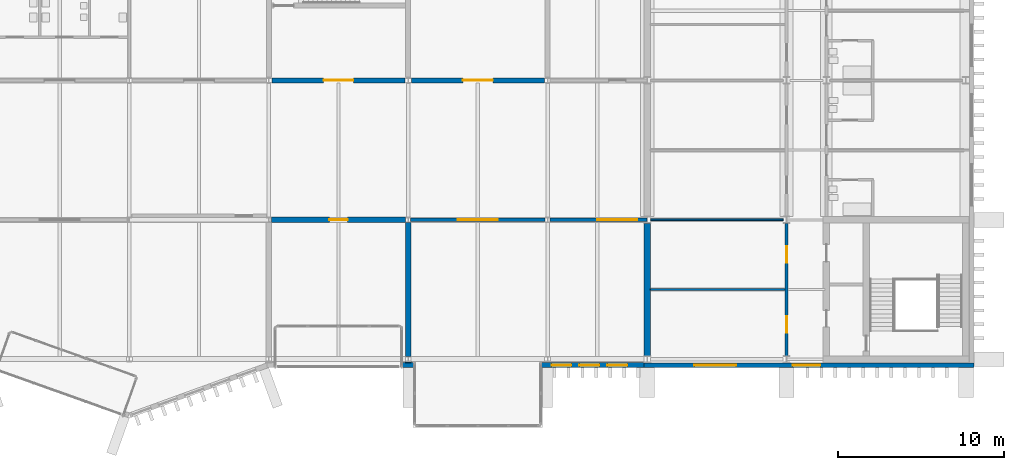
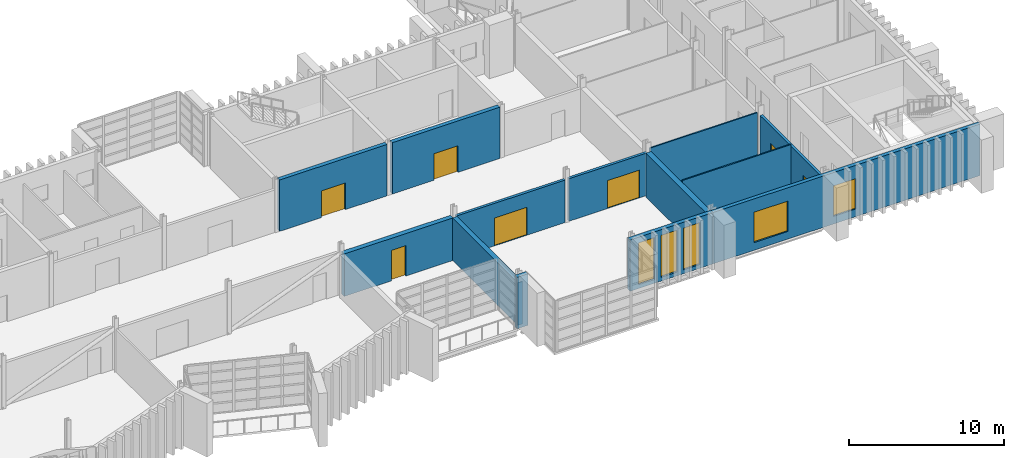
# One storey, part 73 of 100: 14 walls, 7 doors, 5 windows, 12 openings.
"""IFC4 building model written with IfcOpenShell, lengths in metres."""

from ifc_helpers import new_model, si_unit, direction, frame, frame_2d, origin, place, context, subcontext, project, spatial, rectangle, extrude, material, layer, layer_set, type_object, element, fill, save


model = new_model("IFC4")

# Units and contexts
model_context = context("Model", 3, precision=1e-05, world=origin(), true_north=direction((0.0, 1.0)))
body_context = subcontext(model_context, "Body", "Model", "MODEL_VIEW")
ifc_project = project(units=[si_unit("LENGTHUNIT", "METRE"), si_unit("AREAUNIT", "SQUARE_METRE"), si_unit("VOLUMEUNIT", "CUBIC_METRE"), si_unit("PLANEANGLEUNIT", "RADIAN"), si_unit("MASSUNIT", "GRAM", prefix="KILO")], contexts=[model_context])

# Site, building, storey
site_placement = place(None, origin())
site = spatial("IfcSite", under=ifc_project, at=site_placement, CompositionType="ELEMENT")
building_placement = place(site_placement, origin())
building = spatial("IfcBuilding", under=site, at=building_placement, Name="Cresset Court Congress Hotel", CompositionType="ELEMENT")
storey_placement = place(building_placement, frame((0.0, 0.0, 10.199951171875)))
storey = spatial("IfcBuildingStorey", under=building, at=storey_placement, Name="L02", CompositionType="ELEMENT", Elevation=10.199951171875)

# Wall, opening, door
ifc_material_1 = material(Name="Double gypsum board leaves on steel studs with mineral wool", Category="steel")
ifc_layer_1 = layer(ifc_material_1, 0.35009765625)
ifc_layer_set_1 = layer_set([ifc_layer_1], Name="Acoustic double-leaf boardroom wall 350")
wall_type_1 = type_object("IfcWallType", Name="Acoustic double-leaf boardroom wall 350", PredefinedType="PARTITIONING", material=ifc_layer_set_1)
wall_1_placement = place(storey_placement, frame((134.550048828125, 8.39990234375, 0.0), z_axis=(0.0, 0.0, 1.0), x_axis=(1.0, 0.0, 0.0)))
wall_1 = element("IfcWall", 1, at=wall_1_placement, inside=storey, type_object=wall_type_1, Name="Boardroom acoustic wall", PredefinedType="PARTITIONING", context=body_context, shape_type="SweptSolid", body=[
    extrude(rectangle(XDim=8.099853515625, YDim=0.35009765625, at=frame_2d((4.0498046875, 0.0))), origin(), (0.0, 0.0, 1.0), 3.35009765625),
])
opening_1_placement = place(wall_1_placement, frame((3.5, 0.0, 0.0)))
opening_1 = element("IfcOpeningElement", 2, at=opening_1_placement, cuts=wall_1, Name="Opening DB-02-14", PredefinedType="OPENING", context=body_context, shape_type="SweptSolid", body=[
    extrude(rectangle(XDim=1.10009765625, YDim=2.39990234375, at=frame_2d((0.550048828125, 1.199951171875))), frame((0.0, 0.18505859375, 0.0), z_axis=(0.0, -1.0, 0.0), x_axis=(1.0, 0.0, 0.0)), (0.0, 0.0, 1.0), 0.3701171875),
])
ifc_material_2 = material(Name="Solid-core timber with acoustic seals", Category="wood")
door_type_1 = type_object("IfcDoorType", Name="Boardroom acoustic door FD30 1100x2400", OperationType="SINGLE_SWING_LEFT", PredefinedType="DOOR", material=ifc_material_2)
door_1_placement = place(opening_1_placement, origin())
door_1 = element("IfcDoor", 3, at=door_1_placement, inside=storey, type_object=door_type_1, Name="Boardroom door", OperationType="SINGLE_SWING_LEFT", OverallHeight=2.39990234375, OverallWidth=1.10009765625, PredefinedType="DOOR", context=body_context, shape_type="SweptSolid", body=[
    extrude(rectangle(XDim=1.10009765625, YDim=2.39990234375, at=frame_2d((0.550048828125, 1.199951171875))), frame((0.0, 0.02490234375, 0.0), z_axis=(0.0, -1.0, 0.0), x_axis=(1.0, 0.0, 0.0)), (0.0, 0.0, 1.0), 0.050048828125),
])
fill(opening_1, door_1)

# Walls
wall_2_placement = place(storey_placement, frame((142.800048828125, -0.199951171875, 0.0), z_axis=(0.0, 0.0, 1.0), x_axis=(0.0, 1.0, 0.0)))
element("IfcWall", 4, at=wall_2_placement, inside=storey, type_object=wall_type_1, Name="Boardroom acoustic wall", PredefinedType="PARTITIONING", context=body_context, shape_type="SweptSolid", body=[
    extrude(rectangle(XDim=0.050048828125, YDim=0.35009765625, at=frame_2d((0.02490234375, 0.0))), origin(), (0.0, 0.0, 1.0), 3.35009765625),
])
wall_3_placement = place(storey_placement, frame((142.800048828125, 0.14990234375, 0.0), z_axis=(0.0, 0.0, 1.0), x_axis=(0.0, 1.0, 0.0)))
element("IfcWall", 5, at=wall_3_placement, inside=storey, type_object=wall_type_1, Name="Boardroom acoustic wall", PredefinedType="PARTITIONING", context=body_context, shape_type="SweptSolid", body=[
    extrude(rectangle(XDim=8.10009765625, YDim=0.35009765625, at=frame_2d((4.050048828125, 0.0))), origin(), (0.0, 0.0, 1.0), 3.35009765625),
])

# Wall, opening, door
ifc_material_3 = material(Name="Concrete C50", Category="concrete")
ifc_layer_2 = layer(ifc_material_3, 0.300048828125)
ifc_layer_set_2 = layer_set([ifc_layer_2], Name="Core wall 300 Concrete C50")
wall_type_2 = type_object("IfcWallType", Name="Core wall 300 Concrete C50", PredefinedType="SHEAR", material=ifc_layer_set_2)
wall_4_placement = place(storey_placement, frame((143.0, 16.800048828125, 0.0), z_axis=(0.0, 0.0, 1.0), x_axis=(1.0, 0.0, 0.0)))
wall_4 = element("IfcWall", 6, at=wall_4_placement, inside=storey, type_object=wall_type_2, Name="Core wall LC-B3", PredefinedType="SHEAR", context=body_context, shape_type="SweptSolid", body=[
    extrude(rectangle(XDim=8.0, YDim=0.300048828125, at=frame_2d((4.0, 0.0))), origin(), (0.0, 0.0, 1.0), 4.050048828125),
])
opening_2_placement = place(wall_4_placement, frame((3.10009765625, 0.0, 0.0)))
opening_2 = element("IfcOpeningElement", 7, at=opening_2_placement, cuts=wall_4, Name="Opening DB-02-38", PredefinedType="OPENING", context=body_context, shape_type="SweptSolid", body=[
    extrude(rectangle(XDim=1.800048828125, YDim=2.10009765625, at=frame_2d((0.89990234375, 1.050048828125))), frame((0.0, 0.159912109375, 0.0), z_axis=(0.0, -1.0, 0.0), x_axis=(1.0, 0.0, 0.0)), (0.0, 0.0, 1.0), 0.320068359375),
])
ifc_material_4 = material(Name="Timber and steel frame", Category="steel")
door_type_2 = type_object("IfcDoorType", Name="Lobby fire door FD60 double 1800x2100", OperationType="DOUBLE_DOOR_SINGLE_SWING", PredefinedType="DOOR", material=ifc_material_4)
door_2_placement = place(opening_2_placement, origin())
door_2 = element("IfcDoor", 8, at=door_2_placement, inside=storey, type_object=door_type_2, Name="Lift lobby door LC-B3", OperationType="DOUBLE_DOOR_SINGLE_SWING", OverallHeight=2.10009765625, OverallWidth=1.800048828125, PredefinedType="DOOR", context=body_context, shape_type="SweptSolid", body=[
    extrude(rectangle(XDim=1.800048828125, YDim=2.10009765625, at=frame_2d((0.89990234375, 1.050048828125))), frame((0.0, 0.02490234375, 0.0), z_axis=(0.0, -1.0, 0.0), x_axis=(1.0, 0.0, 0.0)), (0.0, 0.0, 1.0), 0.050048828125),
])
fill(opening_2, door_2)

wall_5_placement = place(storey_placement, frame((134.60009765625, 16.800048828125, 0.0), z_axis=(0.0, 0.0, 1.0), x_axis=(1.0, 0.0, 0.0)))
wall_5 = element("IfcWall", 9, at=wall_5_placement, inside=storey, type_object=wall_type_2, Name="Core wall ST-B5", PredefinedType="SHEAR", context=body_context, shape_type="SweptSolid", body=[
    extrude(rectangle(XDim=8.0, YDim=0.300048828125, at=frame_2d((4.0, 0.0))), origin(), (0.0, 0.0, 1.0), 4.050048828125),
])
opening_3_placement = place(wall_5_placement, frame((3.10009765625, 0.0, 0.0)))
opening_3 = element("IfcOpeningElement", 10, at=opening_3_placement, cuts=wall_5, Name="Opening DB-02-50", PredefinedType="OPENING", context=body_context, shape_type="SweptSolid", body=[
    extrude(rectangle(XDim=1.800048828125, YDim=2.10009765625, at=frame_2d((0.89990234375, 1.050048828125))), frame((0.0, 0.159912109375, 0.0), z_axis=(0.0, -1.0, 0.0), x_axis=(1.0, 0.0, 0.0)), (0.0, 0.0, 1.0), 0.320068359375),
])
door_3_placement = place(opening_3_placement, origin())
door_3 = element("IfcDoor", 11, at=door_3_placement, inside=storey, type_object=door_type_2, Name="Stair lobby door ST-B5", OperationType="DOUBLE_DOOR_SINGLE_SWING", OverallHeight=2.10009765625, OverallWidth=1.800048828125, PredefinedType="DOOR", context=body_context, shape_type="SweptSolid", body=[
    extrude(rectangle(XDim=1.800048828125, YDim=2.10009765625, at=frame_2d((0.89990234375, 1.050048828125))), frame((0.0, 0.02490234375, 0.0), z_axis=(0.0, -1.0, 0.0), x_axis=(1.0, 0.0, 0.0)), (0.0, 0.0, 1.0), 0.050048828125),
])
fill(opening_3, door_3)

# Wall, openings, doors
ifc_material_5 = material(Name="Gypsum board partition")
ifc_layer_3 = layer(ifc_material_5, 0.199951171875)
ifc_layer_set_3 = layer_set([ifc_layer_3], Name="Corridor wall 200")
wall_type_3 = type_object("IfcWallType", Name="Corridor wall 200", PredefinedType="PARTITIONING", material=ifc_layer_set_3)
wall_6_placement = place(storey_placement, frame((165.60009765625, 0.20703125, 0.0), z_axis=(0.0, 0.0, 1.0), x_axis=(0.0, 1.0, 0.0)))
wall_6 = element("IfcWall", 12, at=wall_6_placement, inside=storey, type_object=wall_type_3, Name="A.wl.L02.061", PredefinedType="PARTITIONING", context=body_context, shape_type="SweptSolid", body=[
    extrude(rectangle(XDim=7.986083984375, YDim=0.199951171875, at=frame_2d((3.9931640625, 0.0))), origin(), (0.0, 0.0, 1.0), 3.449951171875),
])
opening_4_placement = place(wall_6_placement, frame((1.39306640625, 0.0, 0.0)))
opening_4 = element("IfcOpeningElement", 13, at=opening_4_placement, cuts=wall_6, Name="Opening DA-02-01", PredefinedType="OPENING", context=body_context, shape_type="SweptSolid", body=[
    extrude(rectangle(XDim=1.0, YDim=2.10009765625, at=frame_2d((0.5, 1.050048828125))), frame((0.0, 0.10986328125, 0.0), z_axis=(0.0, -1.0, 0.0), x_axis=(1.0, 0.0, 0.0)), (0.0, 0.0, 1.0), 0.219970703125),
])
opening_5_placement = place(wall_6_placement, frame((5.593017578125, 0.0, 0.0)))
opening_5 = element("IfcOpeningElement", 14, at=opening_5_placement, cuts=wall_6, Name="Opening DA-02-02", PredefinedType="OPENING", context=body_context, shape_type="SweptSolid", body=[
    extrude(rectangle(XDim=1.0, YDim=2.10009765625, at=frame_2d((0.5, 1.050048828125))), frame((0.0, 0.10986328125, 0.0), z_axis=(0.0, -1.0, 0.0), x_axis=(1.0, 0.0, 0.0)), (0.0, 0.0, 1.0), 0.219970703125),
])
ifc_material_6 = material(Name="timber", Category="wood")
door_type_3 = type_object("IfcDoorType", Name="Meeting-room door 1000x2100 FD90", OperationType="SINGLE_SWING_LEFT", PredefinedType="DOOR", material=ifc_material_6)
door_4_placement = place(opening_4_placement, origin())
door_4 = element("IfcDoor", 15, at=door_4_placement, inside=storey, type_object=door_type_3, Name="Door DA-02-01", OperationType="SINGLE_SWING_LEFT", OverallHeight=2.10009765625, OverallWidth=1.0, PredefinedType="DOOR", context=body_context, shape_type="SweptSolid", body=[
    extrude(rectangle(XDim=1.0, YDim=2.10009765625, at=frame_2d((0.5, 1.050048828125))), frame((0.0, 0.02490234375, 0.0), z_axis=(0.0, -1.0, 0.0), x_axis=(1.0, 0.0, 0.0)), (0.0, 0.0, 1.0), 0.050048828125),
])
fill(opening_4, door_4)
door_5_placement = place(opening_5_placement, origin())
door_5 = element("IfcDoor", 16, at=door_5_placement, inside=storey, type_object=door_type_3, Name="Door DA-02-02", OperationType="SINGLE_SWING_RIGHT", OverallHeight=2.10009765625, OverallWidth=1.0, PredefinedType="DOOR", context=body_context, shape_type="SweptSolid", body=[
    extrude(rectangle(XDim=1.0, YDim=2.10009765625, at=frame_2d((0.5, 1.050048828125))), frame((0.0, 0.02490234375, 0.0), z_axis=(0.0, -1.0, 0.0), x_axis=(1.0, 0.0, 0.0)), (0.0, 0.0, 1.0), 0.050048828125),
])
fill(opening_5, door_5)

# Wall
ifc_material_7 = material(Name="Concrete C40", Category="concrete")
ifc_layer_4 = layer(ifc_material_7, 0.300048828125)
ifc_layer_set_4 = layer_set([ifc_layer_4], Name="External wall 300 Concrete C40")
wall_type_4 = type_object("IfcWallType", Name="External wall 300 Concrete C40", PredefinedType="SOLIDWALL", material=ifc_layer_set_4)
wall_7_placement = place(storey_placement, frame((142.39990234375, -0.35009765625, 0.0), z_axis=(0.0, 0.0, 1.0), x_axis=(1.0, 0.0, 0.0)))
element("IfcWall", 17, at=wall_7_placement, inside=storey, type_object=wall_type_4, Name="External wall", PredefinedType="SOLIDWALL", context=body_context, shape_type="SweptSolid", body=[
    extrude(rectangle(XDim=0.800048828125, YDim=0.300048828125, at=frame_2d((0.39990234375, 0.0))), origin(), (0.0, 0.0, 1.0), 4.050048828125),
])

# Wall, openings, windows
wall_8_placement = place(storey_placement, frame((150.800048828125, -0.35009765625, 0.0), z_axis=(0.0, 0.0, 1.0), x_axis=(1.0, 0.0, 0.0)))
wall_8 = element("IfcWall", 18, at=wall_8_placement, inside=storey, type_object=wall_type_4, Name="External wall", PredefinedType="SOLIDWALL", context=body_context, shape_type="SweptSolid", body=[
    extrude(rectangle(XDim=6.199951171875, YDim=0.300048828125, at=frame_2d((3.10009765625, 0.0))), origin(), (0.0, 0.0, 1.0), 4.050048828125),
])
opening_6_placement = place(wall_8_placement, frame((0.639892578125, 0.0, 0.300048828125)))
opening_6 = element("IfcOpeningElement", 19, at=opening_6_placement, cuts=wall_8, Name="Opening NB-02-11", PredefinedType="OPENING", context=body_context, shape_type="SweptSolid", body=[
    extrude(rectangle(XDim=1.199951171875, YDim=3.300048828125, at=frame_2d((0.60009765625, 1.64990234375))), frame((0.0, 0.159912109375, 0.0), z_axis=(0.0, -1.0, 0.0), x_axis=(1.0, 0.0, 0.0)), (0.0, 0.0, 1.0), 0.320068359375),
])
opening_7_placement = place(wall_8_placement, frame((2.320068359375, 0.0, 0.300048828125)))
opening_7 = element("IfcOpeningElement", 20, at=opening_7_placement, cuts=wall_8, Name="Opening NB-02-12", PredefinedType="OPENING", context=body_context, shape_type="SweptSolid", body=[
    extrude(rectangle(XDim=1.199951171875, YDim=3.300048828125, at=frame_2d((0.60009765625, 1.64990234375))), frame((0.0, 0.159912109375, 0.0), z_axis=(0.0, -1.0, 0.0), x_axis=(1.0, 0.0, 0.0)), (0.0, 0.0, 1.0), 0.320068359375),
])
opening_8_placement = place(wall_8_placement, frame((4.0, 0.0, 0.300048828125)))
opening_8 = element("IfcOpeningElement", 21, at=opening_8_placement, cuts=wall_8, Name="Opening NB-02-13", PredefinedType="OPENING", context=body_context, shape_type="SweptSolid", body=[
    extrude(rectangle(XDim=1.199951171875, YDim=3.300048828125, at=frame_2d((0.60009765625, 1.64990234375))), frame((0.0, 0.159912109375, 0.0), z_axis=(0.0, -1.0, 0.0), x_axis=(1.0, 0.0, 0.0)), (0.0, 0.0, 1.0), 0.320068359375),
])
ifc_material_8 = material(Name="Aluminium frame with double glazing", Category="aluminium")
window_type_1 = type_object("IfcWindowType", Name="Window 1200x3300", PartitioningType="TRIPLE_PANEL_VERTICAL", PredefinedType="WINDOW", material=ifc_material_8)
window_1_placement = place(opening_6_placement, origin())
window_1 = element("IfcWindow", 22, at=window_1_placement, inside=storey, type_object=window_type_1, Name="Window NB-02-11", OverallHeight=3.300048828125, OverallWidth=1.199951171875, PartitioningType="TRIPLE_PANEL_VERTICAL", PredefinedType="WINDOW", context=body_context, shape_type="SweptSolid", body=[
    extrude(rectangle(XDim=1.199951171875, YDim=3.300048828125, at=frame_2d((0.60009765625, 1.64990234375))), frame((0.0, 0.030029296875, 0.0), z_axis=(0.0, -1.0, 0.0), x_axis=(1.0, 0.0, 0.0)), (0.0, 0.0, 1.0), 0.06005859375),
])
fill(opening_6, window_1)
window_2_placement = place(opening_7_placement, origin())
window_2 = element("IfcWindow", 23, at=window_2_placement, inside=storey, type_object=window_type_1, Name="Window NB-02-12", OverallHeight=3.300048828125, OverallWidth=1.199951171875, PartitioningType="TRIPLE_PANEL_VERTICAL", PredefinedType="WINDOW", context=body_context, shape_type="SweptSolid", body=[
    extrude(rectangle(XDim=1.199951171875, YDim=3.300048828125, at=frame_2d((0.60009765625, 1.64990234375))), frame((0.0, 0.030029296875, 0.0), z_axis=(0.0, -1.0, 0.0), x_axis=(1.0, 0.0, 0.0)), (0.0, 0.0, 1.0), 0.06005859375),
])
fill(opening_7, window_2)
window_3_placement = place(opening_8_placement, origin())
window_3 = element("IfcWindow", 24, at=window_3_placement, inside=storey, type_object=window_type_1, Name="Window NB-02-13", OverallHeight=3.300048828125, OverallWidth=1.199951171875, PartitioningType="TRIPLE_PANEL_VERTICAL", PredefinedType="WINDOW", context=body_context, shape_type="SweptSolid", body=[
    extrude(rectangle(XDim=1.199951171875, YDim=3.300048828125, at=frame_2d((0.60009765625, 1.64990234375))), frame((0.0, 0.030029296875, 0.0), z_axis=(0.0, -1.0, 0.0), x_axis=(1.0, 0.0, 0.0)), (0.0, 0.0, 1.0), 0.06005859375),
])
fill(opening_8, window_3)

# Wall, opening, door
ifc_material_9 = material(Name="Gypsum board on steel studs", Category="steel")
ifc_layer_5 = layer(ifc_material_9, 0.199951171875)
ifc_layer_set_5 = layer_set([ifc_layer_5], Name="Foyer wall 200")
wall_type_5 = type_object("IfcWallType", Name="Foyer wall 200", PredefinedType="PARTITIONING", material=ifc_layer_set_5)
wall_9_placement = place(storey_placement, frame((142.949951171875, 8.39990234375, 0.0), z_axis=(0.0, 0.0, 1.0), x_axis=(1.0, 0.0, 0.0)))
wall_9 = element("IfcWall", 25, at=wall_9_placement, inside=storey, type_object=wall_type_5, Name="Foyer wall", PredefinedType="PARTITIONING", context=body_context, shape_type="SweptSolid", body=[
    extrude(rectangle(XDim=8.10009765625, YDim=0.199951171875, at=frame_2d((4.050048828125, 0.0))), origin(), (0.0, 0.0, 1.0), 3.35009765625),
])
opening_9_placement = place(wall_9_placement, frame((2.85009765625, 0.0, 0.0)))
opening_9 = element("IfcOpeningElement", 26, at=opening_9_placement, cuts=wall_9, Name="Opening DB-02-15", PredefinedType="OPENING", context=body_context, shape_type="SweptSolid", body=[
    extrude(rectangle(XDim=2.39990234375, YDim=2.199951171875, at=frame_2d((1.199951171875, 1.10009765625))), frame((0.0, 0.10986328125, 0.0), z_axis=(0.0, -1.0, 0.0), x_axis=(1.0, 0.0, 0.0)), (0.0, 0.0, 1.0), 0.219970703125),
])
ifc_material_10 = material(Name="Timber and steel frame", Category="steel")
door_type_4 = type_object("IfcDoorType", Name="Fire door FD30 double 2400x2200", OperationType="DOUBLE_DOOR_SINGLE_SWING", PredefinedType="DOOR", material=ifc_material_10)
door_6_placement = place(opening_9_placement, origin())
door_6 = element("IfcDoor", 27, at=door_6_placement, inside=storey, type_object=door_type_4, Name="Meeting Room door", OperationType="DOUBLE_DOOR_SINGLE_SWING", OverallHeight=2.199951171875, OverallWidth=2.39990234375, PredefinedType="DOOR", context=body_context, shape_type="SweptSolid", body=[
    extrude(rectangle(XDim=2.39990234375, YDim=2.199951171875, at=frame_2d((1.199951171875, 1.10009765625))), frame((0.0, 0.02490234375, 0.0), z_axis=(0.0, -1.0, 0.0), x_axis=(1.0, 0.0, 0.0)), (0.0, 0.0, 1.0), 0.050048828125),
])
fill(opening_9, door_6)

wall_10_placement = place(storey_placement, frame((151.35009765625, 8.39990234375, 0.0), z_axis=(0.0, 0.0, 1.0), x_axis=(1.0, 0.0, 0.0)))
wall_10 = element("IfcWall", 28, at=wall_10_placement, inside=storey, type_object=wall_type_5, Name="Foyer wall", PredefinedType="PARTITIONING", context=body_context, shape_type="SweptSolid", body=[
    extrude(rectangle(XDim=5.849853515625, YDim=0.199951171875, at=frame_2d((2.9248046875, 0.0))), origin(), (0.0, 0.0, 1.0), 3.35009765625),
])
opening_10_placement = place(wall_10_placement, frame((2.85009765625, 0.0, 0.0)))
opening_10 = element("IfcOpeningElement", 29, at=opening_10_placement, cuts=wall_10, Name="Opening DB-02-16", PredefinedType="OPENING", context=body_context, shape_type="SweptSolid", body=[
    extrude(rectangle(XDim=2.39990234375, YDim=2.199951171875, at=frame_2d((1.199951171875, 1.10009765625))), frame((0.0, 0.10986328125, 0.0), z_axis=(0.0, -1.0, 0.0), x_axis=(1.0, 0.0, 0.0)), (0.0, 0.0, 1.0), 0.219970703125),
])
door_7_placement = place(opening_10_placement, origin())
door_7 = element("IfcDoor", 30, at=door_7_placement, inside=storey, type_object=door_type_4, Name="Meeting Room door", OperationType="DOUBLE_DOOR_SINGLE_SWING", OverallHeight=2.199951171875, OverallWidth=2.39990234375, PredefinedType="DOOR", context=body_context, shape_type="SweptSolid", body=[
    extrude(rectangle(XDim=2.39990234375, YDim=2.199951171875, at=frame_2d((1.199951171875, 1.10009765625))), frame((0.0, 0.02490234375, 0.0), z_axis=(0.0, -1.0, 0.0), x_axis=(1.0, 0.0, 0.0)), (0.0, 0.0, 1.0), 0.050048828125),
])
fill(opening_10, door_7)

# Wall, openings, windows
ifc_material_11 = material(Name="Precast concrete C50", Category="concrete")
ifc_layer_6 = layer(ifc_material_11, 0.280029296875)
ifc_layer_set_6 = layer_set([ifc_layer_6], Name="Gable end wall 280")
wall_type_6 = type_object("IfcWallType", Name="Gable end wall 280", PredefinedType="SOLIDWALL", material=ifc_layer_set_6)
wall_11_placement = place(storey_placement, frame((156.699951171875, -0.360107421875, 0.0), z_axis=(0.0, 0.0, 1.0), x_axis=(1.0, 0.0, 0.0)))
wall_11 = element("IfcWall", 31, at=wall_11_placement, inside=storey, type_object=wall_type_6, Name="A.ew.L02.S.1", PredefinedType="SOLIDWALL", context=body_context, shape_type="SweptSolid", body=[
    extrude(rectangle(XDim=20.199951171875, YDim=0.280029296875, at=frame_2d((10.10009765625, 0.0))), origin(), (0.0, 0.0, 1.0), 4.050048828125),
])
opening_11_placement = place(wall_11_placement, frame((9.260009765625, 0.0, 0.60009765625)))
opening_11 = element("IfcOpeningElement", 32, at=opening_11_placement, cuts=wall_11, Name="Opening NA-02-19", PredefinedType="OPENING", context=body_context, shape_type="SweptSolid", body=[
    extrude(rectangle(XDim=1.679931640625, YDim=2.39990234375, at=frame_2d((0.83984375, 1.199951171875))), frame((0.0, 0.14990234375, 0.0), z_axis=(0.0, -1.0, 0.0), x_axis=(1.0, 0.0, 0.0)), (0.0, 0.0, 1.0), 0.300048828125),
])
opening_12_placement = place(wall_11_placement, frame((3.340087890625, 0.0, 0.60009765625)))
opening_12 = element("IfcOpeningElement", 33, at=opening_12_placement, cuts=wall_11, Name="Opening NA-02-20", PredefinedType="OPENING", context=body_context, shape_type="SweptSolid", body=[
    extrude(rectangle(XDim=2.52001953125, YDim=2.39990234375, at=frame_2d((1.260009765625, 1.199951171875))), frame((0.0, 0.14990234375, 0.0), z_axis=(0.0, -1.0, 0.0), x_axis=(1.0, 0.0, 0.0)), (0.0, 0.0, 1.0), 0.300048828125),
])
ifc_material_12 = material(Name="Aluminium and glass", Category="aluminium")
window_type_2 = type_object("IfcWindowType", Name="Window 1680x2400", PartitioningType="SINGLE_PANEL", PredefinedType="WINDOW", material=ifc_material_12)
window_4_placement = place(opening_11_placement, origin())
window_4 = element("IfcWindow", 34, at=window_4_placement, inside=storey, type_object=window_type_2, Name="Window NA-02-19", OverallHeight=2.39990234375, OverallWidth=1.679931640625, PartitioningType="SINGLE_PANEL", PredefinedType="WINDOW", context=body_context, shape_type="SweptSolid", body=[
    extrude(rectangle(XDim=1.679931640625, YDim=2.39990234375, at=frame_2d((0.83984375, 1.199951171875))), frame((0.0, 0.030029296875, 0.0), z_axis=(0.0, -1.0, 0.0), x_axis=(1.0, 0.0, 0.0)), (0.0, 0.0, 1.0), 0.06005859375),
])
fill(opening_11, window_4)
ifc_material_13 = material(Name="Aluminium and glass", Category="aluminium")
window_type_3 = type_object("IfcWindowType", Name="Window 2520x2400", PartitioningType="SINGLE_PANEL", PredefinedType="WINDOW", material=ifc_material_13)
window_5_placement = place(opening_12_placement, origin())
window_5 = element("IfcWindow", 35, at=window_5_placement, inside=storey, type_object=window_type_3, Name="Window NA-02-20", OverallHeight=2.39990234375, OverallWidth=2.52001953125, PartitioningType="SINGLE_PANEL", PredefinedType="WINDOW", context=body_context, shape_type="SweptSolid", body=[
    extrude(rectangle(XDim=2.52001953125, YDim=2.39990234375, at=frame_2d((1.260009765625, 1.199951171875))), frame((0.0, 0.030029296875, 0.0), z_axis=(0.0, -1.0, 0.0), x_axis=(1.0, 0.0, 0.0)), (0.0, 0.0, 1.0), 0.06005859375),
])
fill(opening_12, window_5)

# Walls
ifc_material_14 = material(Name="Gypsum board partition")
ifc_layer_7 = layer(ifc_material_14, 0.10009765625)
ifc_layer_set_7 = layer_set([ifc_layer_7], Name="Guest-room partition 100")
wall_type_7 = type_object("IfcWallType", Name="Guest-room partition 100", PredefinedType="PARTITIONING", material=ifc_layer_set_7)
wall_12_placement = place(storey_placement, frame((157.402587890625, 8.39990234375, 0.0), z_axis=(0.0, 0.0, 1.0), x_axis=(1.0, 0.0, 0.0)))
element("IfcWall", 36, at=wall_12_placement, inside=storey, type_object=wall_type_7, Name="A.wl.L02.037", PredefinedType="PARTITIONING", context=body_context, shape_type="SweptSolid", body=[
    extrude(rectangle(XDim=7.994873046875, YDim=0.10009765625, at=frame_2d((3.99755859375, 0.0))), origin(), (0.0, 0.0, 1.0), 3.60400390625),
])
wall_13_placement = place(storey_placement, frame((157.39990234375, 4.199951171875, 0.0), z_axis=(0.0, 0.0, 1.0), x_axis=(1.0, 0.0, 0.0)))
element("IfcWall", 37, at=wall_13_placement, inside=storey, type_object=wall_type_7, Name="A.wl.L02.046", PredefinedType="PARTITIONING", context=body_context, shape_type="SweptSolid", body=[
    extrude(rectangle(XDim=8.10009765625, YDim=0.10009765625, at=frame_2d((4.050048828125, 0.0))), origin(), (0.0, 0.0, 1.0), 3.60400390625),
])
ifc_material_15 = material(Name="Concrete C40", Category="concrete")
ifc_layer_8 = layer(ifc_material_15, 0.39990234375)
ifc_layer_set_8 = layer_set([ifc_layer_8], Name="Party wall with Block B 400")
wall_type_8 = type_object("IfcWallType", Name="Party wall with Block B 400", PredefinedType="SOLIDWALL", material=ifc_layer_set_8)
wall_14_placement = place(storey_placement, frame((157.199951171875, 0.20703125, 0.0), z_axis=(0.0, 0.0, 1.0), x_axis=(0.0, 1.0, 0.0)))
element("IfcWall", 38, at=wall_14_placement, inside=storey, type_object=wall_type_8, Name="A.wl.L02.058", PredefinedType="SOLIDWALL", context=body_context, shape_type="SweptSolid", body=[
    extrude(rectangle(XDim=7.986083984375, YDim=0.39990234375, at=frame_2d((3.9931640625, 0.0))), origin(), (0.0, 0.0, 1.0), 3.449951171875),
])

save(model, "model.ifc")
